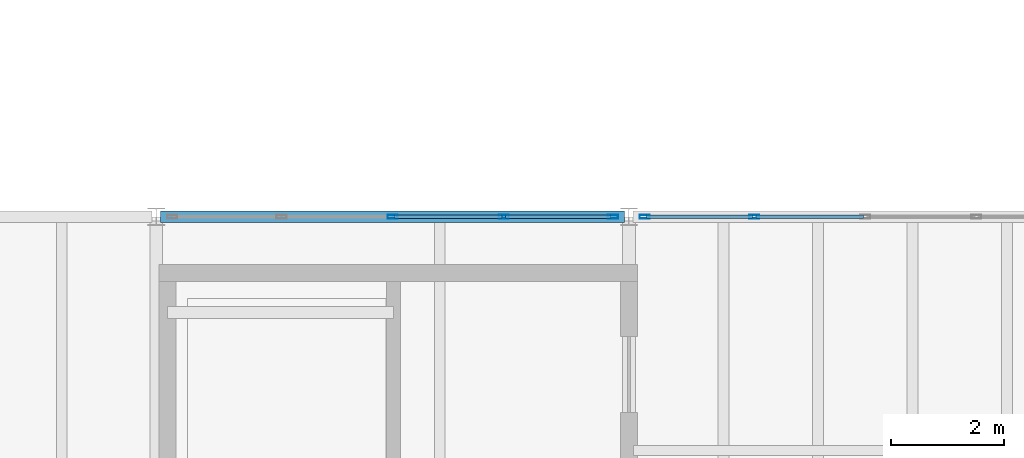
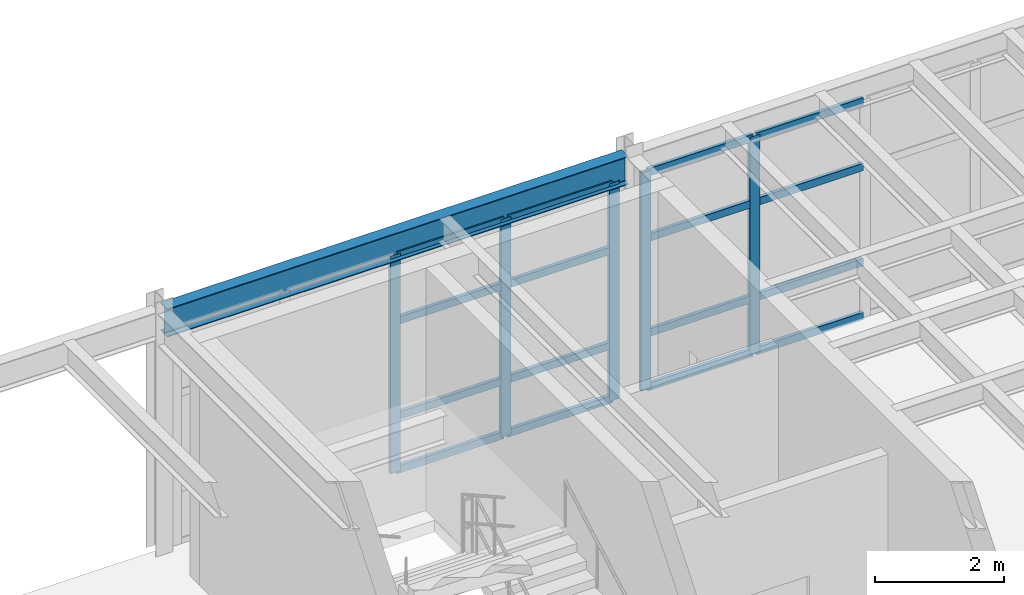
# One storey, part 47 of 116: 21 members, 1 beam, 2 elements without a shape of their own.
"""IFC4 building model written with IfcOpenShell, lengths in metres."""

from ifc_helpers import new_model, si_unit, direction, frame, origin, origin_2d, place, context, subcontext, project, spatial, hollow_rectangle, i_section, extrude, material, layer, layer_set, material_profile, profile_set, type_object, element, aggregate, save


model = new_model("IFC4")

# Units and contexts
model_context = context("Model", 3, precision=1e-05, world=origin(), true_north=direction((0.0, 1.0)))
body_context = subcontext(model_context, "Body", "Model", "MODEL_VIEW")
ifc_project = project(units=[si_unit("LENGTHUNIT", "METRE"), si_unit("AREAUNIT", "SQUARE_METRE"), si_unit("VOLUMEUNIT", "CUBIC_METRE"), si_unit("PLANEANGLEUNIT", "RADIAN"), si_unit("MASSUNIT", "GRAM", prefix="KILO")], contexts=[model_context])

# Site, building, storey
site_placement = place(None, origin())
site = spatial("IfcSite", under=ifc_project, at=site_placement, CompositionType="ELEMENT")
building_placement = place(site_placement, origin())
building = spatial("IfcBuilding", under=site, at=building_placement, Name="Selat Folded Stagehouse", CompositionType="ELEMENT")
storey_placement = place(building_placement, frame((0.0, 0.0, 5.39990234375)))
storey = spatial("IfcBuildingStorey", under=building, at=storey_placement, Name="L01", CompositionType="ELEMENT", Elevation=5.39990234375)

# Beam
ifc_material_1 = material(Name="Steel S355", Category="steel")
ifc_material_profile_1 = material_profile(ifc_material_1, i_section(OverallWidth=0.209228515625, OverallDepth=0.533203125, WebThickness=0.010009765625, FlangeThickness=0.015625, FilletRadius=0.0126953125, at=origin_2d()), Name="UKB 533x210x92")
ifc_profile_set_1 = profile_set([ifc_material_profile_1], Name="Steel S355")
beam_type = type_object("IfcBeamType", Name="BM-GIRD-533x210x92", PredefinedType="BEAM", material=ifc_profile_set_1)
beam_placement = place(storey_placement, frame((75.677001953125, 17.800048828125, 4.3134765625), z_axis=(1.0, 0.0, 0.0), x_axis=(0.0, 1.0, 0.0)))
element("IfcBeam", 1, at=beam_placement, inside=storey, type_object=beam_type, Name="L01 primary x-girder 0771", PredefinedType="BEAM", context=body_context, shape_type="SweptSolid", body=[
    extrude(i_section(OverallWidth=0.209228515625, OverallDepth=0.533203125, WebThickness=0.010009765625, FlangeThickness=0.015625, FilletRadius=0.0126953125, at=origin_2d()), origin(), (0.0, 0.0, 1.0), 8.24609375),
])

# Curtain wall, members
ifc_material_2 = material(Name="Aluminium 6063-T6", Category="aluminium")
ifc_layer = layer(ifc_material_2, 0.195068359375)
ifc_layer_set = layer_set([ifc_layer], Name="Aluminium 6063-T6")
curtain_wall_type = type_object("IfcCurtainWallType", Name="CW-FYR-COURT", PredefinedType="NOTDEFINED", material=ifc_layer_set)
curtain_wall_1_placement = place(storey_placement, origin())
curtain_wall_1 = element("IfcCurtainWall", 2, at=curtain_wall_1_placement, inside=storey, type_object=curtain_wall_type, Name="L01 curtain wall CW-FYR-L01-10", PredefinedType="NOTDEFINED")
ifc_material_profile_2 = material_profile(ifc_material_2, hollow_rectangle(XDim=0.06494140625, YDim=0.179931640625, WallThickness=0.00390625, at=origin_2d()), Name="ALU 180x65x4.0")
ifc_profile_set_2 = profile_set([ifc_material_profile_2], Name="Aluminium 6063-T6")
member_type_1 = type_object("IfcMemberType", Name="CWM-MUL-180x65", PredefinedType="MULLION", material=ifc_profile_set_2)
member_1_placement = place(storey_placement, frame((79.800048828125, 17.800048828125, 0.0), z_axis=(0.0, 0.0, 1.0), x_axis=(0.0, 1.0, 0.0)))
member_1 = element("IfcMember", 3, at=member_1_placement, type_object=member_type_1, Name="CW-05 mullion 3", PredefinedType="MULLION", context=body_context, shape_type="SweptSolid", body=[
    extrude(hollow_rectangle(XDim=0.06494140625, YDim=0.179931640625, WallThickness=0.00390625, at=origin_2d()), origin(), (0.0, 0.0, 1.0), 4.1201171875),
])
member_2_placement = place(storey_placement, frame((81.77490234375, 17.800048828125, 0.0), z_axis=(0.0, 0.0, 1.0), x_axis=(0.0, 1.0, 0.0)))
member_2 = element("IfcMember", 4, at=member_2_placement, type_object=member_type_1, Name="CW-05 mullion 4", PredefinedType="MULLION", context=body_context, shape_type="SweptSolid", body=[
    extrude(hollow_rectangle(XDim=0.06494140625, YDim=0.179931640625, WallThickness=0.00390625, at=origin_2d()), origin(), (0.0, 0.0, 1.0), 4.1201171875),
])
member_3_placement = place(storey_placement, frame((83.717529296875, 17.800048828125, 0.0), z_axis=(0.0, 0.0, 1.0), x_axis=(0.0, 1.0, 0.0)))
member_3 = element("IfcMember", 5, at=member_3_placement, type_object=member_type_1, Name="CW-05 mullion 5", PredefinedType="MULLION", context=body_context, shape_type="SweptSolid", body=[
    extrude(hollow_rectangle(XDim=0.06494140625, YDim=0.179931640625, WallThickness=0.00390625, at=origin_2d()), origin(), (0.0, 0.0, 1.0), 4.1201171875),
])

curtain_wall_2_placement = place(storey_placement, origin())
curtain_wall_2 = element("IfcCurtainWall", 6, at=curtain_wall_2_placement, inside=storey, type_object=curtain_wall_type, Name="L01 curtain wall CW-FYR-L01-11", PredefinedType="NOTDEFINED")
member_4_placement = place(storey_placement, frame((84.282470703125, 17.800048828125, 0.0), z_axis=(0.0, 0.0, 1.0), x_axis=(0.0, 1.0, 0.0)))
member_4 = element("IfcMember", 7, at=member_4_placement, type_object=member_type_1, Name="CW-05 mullion 1", PredefinedType="MULLION", context=body_context, shape_type="SweptSolid", body=[
    extrude(hollow_rectangle(XDim=0.06494140625, YDim=0.179931640625, WallThickness=0.00390625, at=origin_2d()), origin(), (0.0, 0.0, 1.0), 4.1201171875),
])
member_5_placement = place(storey_placement, frame((86.22509765625, 17.800048828125, 0.0), z_axis=(0.0, 0.0, 1.0), x_axis=(0.0, 1.0, 0.0)))
member_5 = element("IfcMember", 8, at=member_5_placement, type_object=member_type_1, Name="CW-05 mullion 2", PredefinedType="MULLION", context=body_context, shape_type="SweptSolid", body=[
    extrude(hollow_rectangle(XDim=0.06494140625, YDim=0.179931640625, WallThickness=0.00390625, at=origin_2d()), origin(), (0.0, 0.0, 1.0), 4.1201171875),
])

# Member
ifc_material_profile_3 = material_profile(ifc_material_2, hollow_rectangle(XDim=0.06494140625, YDim=0.139892578125, WallThickness=0.00390625, at=origin_2d()), Name="ALU 140x65x4.0")
ifc_profile_set_3 = profile_set([ifc_material_profile_3], Name="Aluminium 6063-T6")
member_type_2 = type_object("IfcMemberType", Name="CWM-TRN-140x65", PredefinedType="USERDEFINED", material=ifc_profile_set_3)
member_6_placement = place(storey_placement, frame((79.83251953125, 17.800048828125, 0.03271484375), z_axis=(1.0, 0.0, 0.0), x_axis=(0.0, 1.0, 0.0)))
member_6 = element("IfcMember", 9, at=member_6_placement, type_object=member_type_2, Name="CW-05 transom 3.1", ObjectType="TRANSOM", PredefinedType="USERDEFINED", context=body_context, shape_type="SweptSolid", body=[
    extrude(hollow_rectangle(XDim=0.06494140625, YDim=0.139892578125, WallThickness=0.00390625, at=origin_2d()), origin(), (0.0, 0.0, 1.0), 1.909912109375),
])

member_7_placement = place(storey_placement, frame((79.83251953125, 17.800048828125, 1.050048828125), z_axis=(1.0, 0.0, 0.0), x_axis=(0.0, 1.0, 0.0)))
member_7 = element("IfcMember", 10, at=member_7_placement, type_object=member_type_2, Name="CW-05 transom 3.2", ObjectType="TRANSOM", PredefinedType="USERDEFINED", context=body_context, shape_type="SweptSolid", body=[
    extrude(hollow_rectangle(XDim=0.06494140625, YDim=0.139892578125, WallThickness=0.00390625, at=origin_2d()), origin(), (0.0, 0.0, 1.0), 1.909912109375),
])

member_8_placement = place(storey_placement, frame((79.83251953125, 17.800048828125, 2.85009765625), z_axis=(1.0, 0.0, 0.0), x_axis=(0.0, 1.0, 0.0)))
member_8 = element("IfcMember", 11, at=member_8_placement, type_object=member_type_2, Name="CW-05 transom 3.3", ObjectType="TRANSOM", PredefinedType="USERDEFINED", context=body_context, shape_type="SweptSolid", body=[
    extrude(hollow_rectangle(XDim=0.06494140625, YDim=0.139892578125, WallThickness=0.00390625, at=origin_2d()), origin(), (0.0, 0.0, 1.0), 1.909912109375),
])

member_9_placement = place(storey_placement, frame((79.83251953125, 17.800048828125, 4.087646484375), z_axis=(1.0, 0.0, 0.0), x_axis=(0.0, 1.0, 0.0)))
member_9 = element("IfcMember", 12, at=member_9_placement, type_object=member_type_2, Name="CW-05 transom 3.4", ObjectType="TRANSOM", PredefinedType="USERDEFINED", context=body_context, shape_type="SweptSolid", body=[
    extrude(hollow_rectangle(XDim=0.06494140625, YDim=0.139892578125, WallThickness=0.00390625, at=origin_2d()), origin(), (0.0, 0.0, 1.0), 1.909912109375),
])

member_10_placement = place(storey_placement, frame((81.8076171875, 17.800048828125, 0.03271484375), z_axis=(1.0, 0.0, 0.0), x_axis=(0.0, 1.0, 0.0)))
member_10 = element("IfcMember", 13, at=member_10_placement, type_object=member_type_2, Name="CW-05 transom 4.1", ObjectType="TRANSOM", PredefinedType="USERDEFINED", context=body_context, shape_type="SweptSolid", body=[
    extrude(hollow_rectangle(XDim=0.06494140625, YDim=0.139892578125, WallThickness=0.00390625, at=origin_2d()), origin(), (0.0, 0.0, 1.0), 1.87744140625),
])

member_11_placement = place(storey_placement, frame((81.8076171875, 17.800048828125, 1.050048828125), z_axis=(1.0, 0.0, 0.0), x_axis=(0.0, 1.0, 0.0)))
member_11 = element("IfcMember", 14, at=member_11_placement, type_object=member_type_2, Name="CW-05 transom 4.2", ObjectType="TRANSOM", PredefinedType="USERDEFINED", context=body_context, shape_type="SweptSolid", body=[
    extrude(hollow_rectangle(XDim=0.06494140625, YDim=0.139892578125, WallThickness=0.00390625, at=origin_2d()), origin(), (0.0, 0.0, 1.0), 1.87744140625),
])

member_12_placement = place(storey_placement, frame((81.8076171875, 17.800048828125, 2.85009765625), z_axis=(1.0, 0.0, 0.0), x_axis=(0.0, 1.0, 0.0)))
member_12 = element("IfcMember", 15, at=member_12_placement, type_object=member_type_2, Name="CW-05 transom 4.3", ObjectType="TRANSOM", PredefinedType="USERDEFINED", context=body_context, shape_type="SweptSolid", body=[
    extrude(hollow_rectangle(XDim=0.06494140625, YDim=0.139892578125, WallThickness=0.00390625, at=origin_2d()), origin(), (0.0, 0.0, 1.0), 1.87744140625),
])

member_13_placement = place(storey_placement, frame((81.8076171875, 17.800048828125, 4.087646484375), z_axis=(1.0, 0.0, 0.0), x_axis=(0.0, 1.0, 0.0)))
member_13 = element("IfcMember", 16, at=member_13_placement, type_object=member_type_2, Name="CW-05 transom 4.4", ObjectType="TRANSOM", PredefinedType="USERDEFINED", context=body_context, shape_type="SweptSolid", body=[
    extrude(hollow_rectangle(XDim=0.06494140625, YDim=0.139892578125, WallThickness=0.00390625, at=origin_2d()), origin(), (0.0, 0.0, 1.0), 1.87744140625),
])

aggregate(curtain_wall_1, [member_1, member_2, member_3, member_6, member_7, member_8, member_9, member_10, member_11, member_12, member_13])

member_14_placement = place(storey_placement, frame((84.31494140625, 17.800048828125, 0.03271484375), z_axis=(1.0, 0.0, 0.0), x_axis=(0.0, 1.0, 0.0)))
member_14 = element("IfcMember", 17, at=member_14_placement, type_object=member_type_2, Name="CW-05 transom 1.1", ObjectType="TRANSOM", PredefinedType="USERDEFINED", context=body_context, shape_type="SweptSolid", body=[
    extrude(hollow_rectangle(XDim=0.06494140625, YDim=0.139892578125, WallThickness=0.00390625, at=origin_2d()), origin(), (0.0, 0.0, 1.0), 1.87744140625),
])

member_15_placement = place(storey_placement, frame((84.31494140625, 17.800048828125, 1.050048828125), z_axis=(1.0, 0.0, 0.0), x_axis=(0.0, 1.0, 0.0)))
member_15 = element("IfcMember", 18, at=member_15_placement, type_object=member_type_2, Name="CW-05 transom 1.2", ObjectType="TRANSOM", PredefinedType="USERDEFINED", context=body_context, shape_type="SweptSolid", body=[
    extrude(hollow_rectangle(XDim=0.06494140625, YDim=0.139892578125, WallThickness=0.00390625, at=origin_2d()), origin(), (0.0, 0.0, 1.0), 1.87744140625),
])

member_16_placement = place(storey_placement, frame((84.31494140625, 17.800048828125, 2.85009765625), z_axis=(1.0, 0.0, 0.0), x_axis=(0.0, 1.0, 0.0)))
member_16 = element("IfcMember", 19, at=member_16_placement, type_object=member_type_2, Name="CW-05 transom 1.3", ObjectType="TRANSOM", PredefinedType="USERDEFINED", context=body_context, shape_type="SweptSolid", body=[
    extrude(hollow_rectangle(XDim=0.06494140625, YDim=0.139892578125, WallThickness=0.00390625, at=origin_2d()), origin(), (0.0, 0.0, 1.0), 1.87744140625),
])

member_17_placement = place(storey_placement, frame((84.31494140625, 17.800048828125, 4.087646484375), z_axis=(1.0, 0.0, 0.0), x_axis=(0.0, 1.0, 0.0)))
member_17 = element("IfcMember", 20, at=member_17_placement, type_object=member_type_2, Name="CW-05 transom 1.4", ObjectType="TRANSOM", PredefinedType="USERDEFINED", context=body_context, shape_type="SweptSolid", body=[
    extrude(hollow_rectangle(XDim=0.06494140625, YDim=0.139892578125, WallThickness=0.00390625, at=origin_2d()), origin(), (0.0, 0.0, 1.0), 1.87744140625),
])

member_18_placement = place(storey_placement, frame((86.257568359375, 17.800048828125, 0.03271484375), z_axis=(1.0, 0.0, 0.0), x_axis=(0.0, 1.0, 0.0)))
member_18 = element("IfcMember", 21, at=member_18_placement, type_object=member_type_2, Name="CW-05 transom 2.1", ObjectType="TRANSOM", PredefinedType="USERDEFINED", context=body_context, shape_type="SweptSolid", body=[
    extrude(hollow_rectangle(XDim=0.06494140625, YDim=0.139892578125, WallThickness=0.00390625, at=origin_2d()), origin(), (0.0, 0.0, 1.0), 1.909912109375),
])

member_19_placement = place(storey_placement, frame((86.257568359375, 17.800048828125, 1.050048828125), z_axis=(1.0, 0.0, 0.0), x_axis=(0.0, 1.0, 0.0)))
member_19 = element("IfcMember", 22, at=member_19_placement, type_object=member_type_2, Name="CW-05 transom 2.2", ObjectType="TRANSOM", PredefinedType="USERDEFINED", context=body_context, shape_type="SweptSolid", body=[
    extrude(hollow_rectangle(XDim=0.06494140625, YDim=0.139892578125, WallThickness=0.00390625, at=origin_2d()), origin(), (0.0, 0.0, 1.0), 1.909912109375),
])

member_20_placement = place(storey_placement, frame((86.257568359375, 17.800048828125, 2.85009765625), z_axis=(1.0, 0.0, 0.0), x_axis=(0.0, 1.0, 0.0)))
member_20 = element("IfcMember", 23, at=member_20_placement, type_object=member_type_2, Name="CW-05 transom 2.3", ObjectType="TRANSOM", PredefinedType="USERDEFINED", context=body_context, shape_type="SweptSolid", body=[
    extrude(hollow_rectangle(XDim=0.06494140625, YDim=0.139892578125, WallThickness=0.00390625, at=origin_2d()), origin(), (0.0, 0.0, 1.0), 1.909912109375),
])

member_21_placement = place(storey_placement, frame((86.257568359375, 17.800048828125, 4.087646484375), z_axis=(1.0, 0.0, 0.0), x_axis=(0.0, 1.0, 0.0)))
member_21 = element("IfcMember", 24, at=member_21_placement, type_object=member_type_2, Name="CW-05 transom 2.4", ObjectType="TRANSOM", PredefinedType="USERDEFINED", context=body_context, shape_type="SweptSolid", body=[
    extrude(hollow_rectangle(XDim=0.06494140625, YDim=0.139892578125, WallThickness=0.00390625, at=origin_2d()), origin(), (0.0, 0.0, 1.0), 1.909912109375),
])

aggregate(curtain_wall_2, [member_4, member_5, member_14, member_15, member_16, member_17, member_18, member_19, member_20, member_21])

save(model, "model.ifc")
